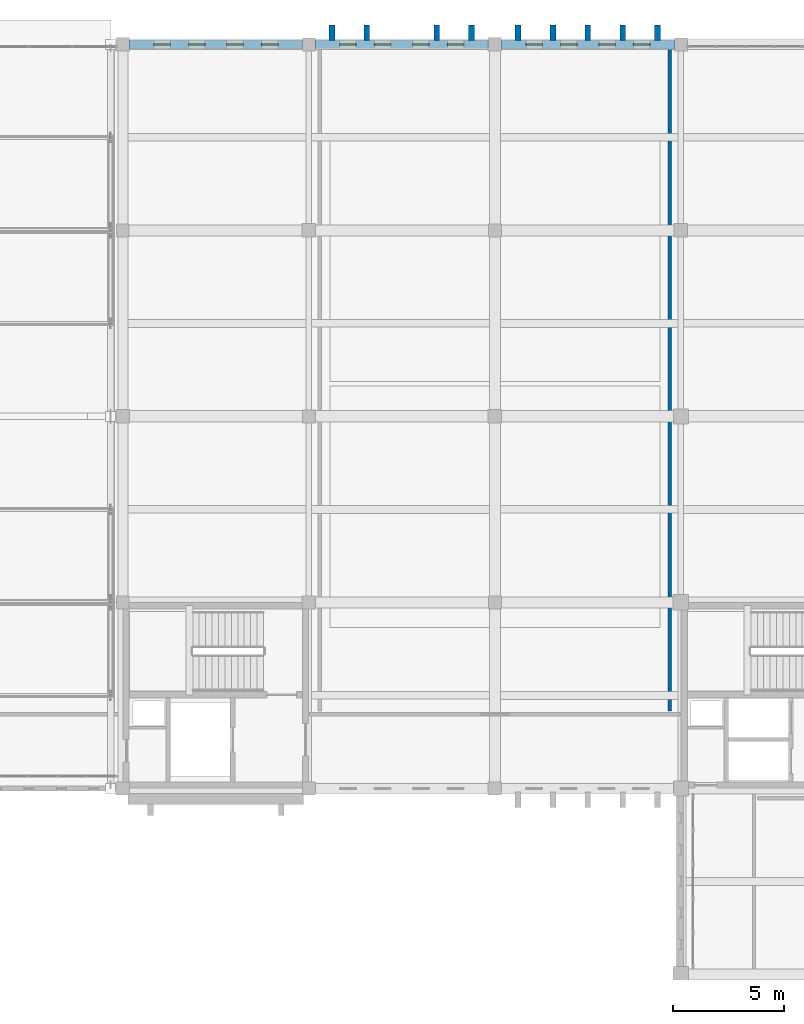
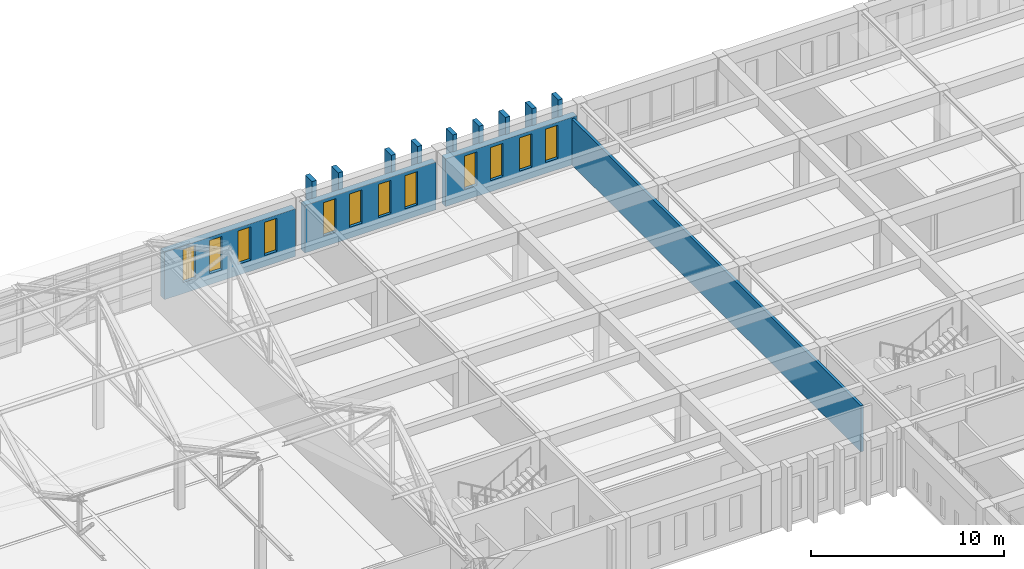
# One storey, part 95 of 110: 13 walls, 12 windows, 12 openings.
"""IFC4 building model written with IfcOpenShell, lengths in metres."""

from ifc_helpers import new_model, si_unit, direction, frame, frame_2d, origin, place, context, subcontext, project, spatial, rectangle, extrude, material, layer, layer_set, type_object, element, fill, save


model = new_model("IFC4")

# Units and contexts
model_context = context("Model", 3, precision=1e-05, world=origin(), true_north=direction((0.0, 1.0)))
body_context = subcontext(model_context, "Body", "Model", "MODEL_VIEW")
ifc_project = project(units=[si_unit("LENGTHUNIT", "METRE"), si_unit("AREAUNIT", "SQUARE_METRE"), si_unit("VOLUMEUNIT", "CUBIC_METRE"), si_unit("PLANEANGLEUNIT", "RADIAN"), si_unit("MASSUNIT", "GRAM", prefix="KILO")], contexts=[model_context])

# Site, building, storey
site_placement = place(None, origin())
site = spatial("IfcSite", under=ifc_project, at=site_placement, CompositionType="ELEMENT")
building_placement = place(site_placement, origin())
building = spatial("IfcBuilding", under=site, at=building_placement, Name="Kveldsbrygga Polytechnic", CompositionType="ELEMENT")
storey_placement = place(building_placement, frame((0.0, 0.0, 9.860107421875)))
storey = spatial("IfcBuildingStorey", under=building, at=storey_placement, Name="L02", CompositionType="ELEMENT", Elevation=9.860107421875)

# Wall, openings, windows
ifc_material_1 = material(Name="Fired clay brick masonry M10", Category="masonry")
ifc_layer_1 = layer(ifc_material_1, 0.3798828125)
ifc_layer_set_1 = layer_set([ifc_layer_1], Name="Fired clay brick masonry M10")
wall_type_1 = type_object("IfcWallType", Name="EW-BRICK-380", PredefinedType="SOLIDWALL", material=ifc_layer_set_1)
wall_1_placement = place(storey_placement, frame((109.47509765625, 117.60009765625, 0.0), z_axis=(0.0, 0.0, 1.0), x_axis=(1.0, 0.0, 0.0)))
wall_1 = element("IfcWall", 1, at=wall_1_placement, inside=storey, type_object=wall_type_1, Name="Exterior Brick Wall EW-L02-X-13-14", PredefinedType="SOLIDWALL", context=body_context, shape_type="SweptSolid", body=[
    extrude(rectangle(XDim=7.83984375, YDim=0.3798828125, at=frame_2d((3.919921875, 0.0))), origin(), (0.0, 0.0, 1.0), 3.010009765625),
])
opening_1_placement = place(wall_1_placement, frame((1.114501953125, 0.0, 0.699951171875)))
opening_1 = element("IfcOpeningElement", 2, at=opening_1_placement, cuts=wall_1, Name="Opening W-27", PredefinedType="OPENING", context=body_context, shape_type="SweptSolid", body=[
    extrude(rectangle(XDim=0.75, YDim=2.10009765625, at=frame_2d((0.375, 1.050048828125))), frame((0.0, 0.199951171875, 0.0), z_axis=(0.0, -1.0, 0.0), x_axis=(1.0, 0.0, 0.0)), (0.0, 0.0, 1.0), 0.39990234375),
])
opening_2_placement = place(wall_1_placement, frame((2.6826171875, 0.0, 0.699951171875)))
opening_2 = element("IfcOpeningElement", 3, at=opening_2_placement, cuts=wall_1, Name="Opening W-27", PredefinedType="OPENING", context=body_context, shape_type="SweptSolid", body=[
    extrude(rectangle(XDim=0.75, YDim=2.10009765625, at=frame_2d((0.375, 1.050048828125))), frame((0.0, 0.199951171875, 0.0), z_axis=(0.0, -1.0, 0.0), x_axis=(1.0, 0.0, 0.0)), (0.0, 0.0, 1.0), 0.39990234375),
])
opening_3_placement = place(wall_1_placement, frame((4.407470703125, 0.0, 0.699951171875)))
opening_3 = element("IfcOpeningElement", 4, at=opening_3_placement, cuts=wall_1, Name="Opening W-27", PredefinedType="OPENING", context=body_context, shape_type="SweptSolid", body=[
    extrude(rectangle(XDim=0.75, YDim=2.10009765625, at=frame_2d((0.375, 1.050048828125))), frame((0.0, 0.199951171875, 0.0), z_axis=(0.0, -1.0, 0.0), x_axis=(1.0, 0.0, 0.0)), (0.0, 0.0, 1.0), 0.39990234375),
])
opening_4_placement = place(wall_1_placement, frame((5.975341796875, 0.0, 0.699951171875)))
opening_4 = element("IfcOpeningElement", 5, at=opening_4_placement, cuts=wall_1, Name="Opening W-27", PredefinedType="OPENING", context=body_context, shape_type="SweptSolid", body=[
    extrude(rectangle(XDim=0.75, YDim=2.10009765625, at=frame_2d((0.375, 1.050048828125))), frame((0.0, 0.199951171875, 0.0), z_axis=(0.0, -1.0, 0.0), x_axis=(1.0, 0.0, 0.0)), (0.0, 0.0, 1.0), 0.39990234375),
])
ifc_material_2 = material(Name="Insulated triple low-E glass", Category="glass")
window_type = type_object("IfcWindowType", Name="WN-ATTIC-075x210", PartitioningType="DOUBLE_PANEL_VERTICAL", PredefinedType="WINDOW", material=ifc_material_2)
window_1_placement = place(opening_1_placement, origin())
window_1 = element("IfcWindow", 6, at=window_1_placement, inside=storey, type_object=window_type, Name="Gothic Lancet Window WIN-L02-X-13-14-1", OverallHeight=2.10009765625, OverallWidth=0.75, PartitioningType="DOUBLE_PANEL_VERTICAL", PredefinedType="WINDOW", context=body_context, shape_type="SweptSolid", body=[
    extrude(rectangle(XDim=0.75, YDim=2.10009765625, at=frame_2d((0.375, 1.050048828125))), frame((0.0, 0.030029296875, 0.0), z_axis=(0.0, -1.0, 0.0), x_axis=(1.0, 0.0, 0.0)), (0.0, 0.0, 1.0), 0.06005859375),
])
fill(opening_1, window_1)
window_2_placement = place(opening_2_placement, origin())
window_2 = element("IfcWindow", 7, at=window_2_placement, inside=storey, type_object=window_type, Name="Gothic Lancet Window WIN-L02-X-13-14-2", OverallHeight=2.10009765625, OverallWidth=0.75, PartitioningType="DOUBLE_PANEL_VERTICAL", PredefinedType="WINDOW", context=body_context, shape_type="SweptSolid", body=[
    extrude(rectangle(XDim=0.75, YDim=2.10009765625, at=frame_2d((0.375, 1.050048828125))), frame((0.0, 0.030029296875, 0.0), z_axis=(0.0, -1.0, 0.0), x_axis=(1.0, 0.0, 0.0)), (0.0, 0.0, 1.0), 0.06005859375),
])
fill(opening_2, window_2)
window_3_placement = place(opening_3_placement, origin())
window_3 = element("IfcWindow", 8, at=window_3_placement, inside=storey, type_object=window_type, Name="Gothic Lancet Window WIN-L02-X-13-14-3", OverallHeight=2.10009765625, OverallWidth=0.75, PartitioningType="DOUBLE_PANEL_VERTICAL", PredefinedType="WINDOW", context=body_context, shape_type="SweptSolid", body=[
    extrude(rectangle(XDim=0.75, YDim=2.10009765625, at=frame_2d((0.375, 1.050048828125))), frame((0.0, 0.030029296875, 0.0), z_axis=(0.0, -1.0, 0.0), x_axis=(1.0, 0.0, 0.0)), (0.0, 0.0, 1.0), 0.06005859375),
])
fill(opening_3, window_3)
window_4_placement = place(opening_4_placement, origin())
window_4 = element("IfcWindow", 9, at=window_4_placement, inside=storey, type_object=window_type, Name="Gothic Lancet Window WIN-L02-X-13-14-4", OverallHeight=2.10009765625, OverallWidth=0.75, PartitioningType="DOUBLE_PANEL_VERTICAL", PredefinedType="WINDOW", context=body_context, shape_type="SweptSolid", body=[
    extrude(rectangle(XDim=0.75, YDim=2.10009765625, at=frame_2d((0.375, 1.050048828125))), frame((0.0, 0.030029296875, 0.0), z_axis=(0.0, -1.0, 0.0), x_axis=(1.0, 0.0, 0.0)), (0.0, 0.0, 1.0), 0.06005859375),
])
fill(opening_4, window_4)

ifc_layer_2 = layer(ifc_material_1, 0.39990234375)
ifc_layer_set_2 = layer_set([ifc_layer_2], Name="Fired clay brick masonry M10")
wall_type_2 = type_object("IfcWallType", Name="EW-BRICK-400", PredefinedType="SOLIDWALL", material=ifc_layer_set_2)
wall_2_placement = place(storey_placement, frame((101.0849609375, 117.60009765625, 0.0), z_axis=(0.0, 0.0, 1.0), x_axis=(1.0, 0.0, 0.0)))
wall_2 = element("IfcWall", 10, at=wall_2_placement, inside=storey, type_object=wall_type_2, Name="Exterior Brick Wall EW-L02-X-12-14", PredefinedType="SOLIDWALL", context=body_context, shape_type="SweptSolid", body=[
    extrude(rectangle(XDim=7.840087890625, YDim=0.39990234375, at=frame_2d((3.919921875, 0.0))), origin(), (0.0, 0.0, 1.0), 3.010009765625),
])
opening_5_placement = place(wall_2_placement, frame((1.114501953125, 0.0, 0.699951171875)))
opening_5 = element("IfcOpeningElement", 11, at=opening_5_placement, cuts=wall_2, Name="Opening W-27", PredefinedType="OPENING", context=body_context, shape_type="SweptSolid", body=[
    extrude(rectangle(XDim=0.75, YDim=2.10009765625, at=frame_2d((0.375, 1.050048828125))), frame((0.0, 0.2099609375, 0.0), z_axis=(0.0, -1.0, 0.0), x_axis=(1.0, 0.0, 0.0)), (0.0, 0.0, 1.0), 0.419921875),
])
opening_6_placement = place(wall_2_placement, frame((2.6826171875, 0.0, 0.699951171875)))
opening_6 = element("IfcOpeningElement", 12, at=opening_6_placement, cuts=wall_2, Name="Opening W-27", PredefinedType="OPENING", context=body_context, shape_type="SweptSolid", body=[
    extrude(rectangle(XDim=0.75, YDim=2.10009765625, at=frame_2d((0.375, 1.050048828125))), frame((0.0, 0.2099609375, 0.0), z_axis=(0.0, -1.0, 0.0), x_axis=(1.0, 0.0, 0.0)), (0.0, 0.0, 1.0), 0.419921875),
])
opening_7_placement = place(wall_2_placement, frame((4.407470703125, 0.0, 0.699951171875)))
opening_7 = element("IfcOpeningElement", 13, at=opening_7_placement, cuts=wall_2, Name="Opening W-27", PredefinedType="OPENING", context=body_context, shape_type="SweptSolid", body=[
    extrude(rectangle(XDim=0.75, YDim=2.10009765625, at=frame_2d((0.375, 1.050048828125))), frame((0.0, 0.2099609375, 0.0), z_axis=(0.0, -1.0, 0.0), x_axis=(1.0, 0.0, 0.0)), (0.0, 0.0, 1.0), 0.419921875),
])
opening_8_placement = place(wall_2_placement, frame((5.975341796875, 0.0, 0.699951171875)))
opening_8 = element("IfcOpeningElement", 14, at=opening_8_placement, cuts=wall_2, Name="Opening W-27", PredefinedType="OPENING", context=body_context, shape_type="SweptSolid", body=[
    extrude(rectangle(XDim=0.75, YDim=2.10009765625, at=frame_2d((0.375, 1.050048828125))), frame((0.0, 0.2099609375, 0.0), z_axis=(0.0, -1.0, 0.0), x_axis=(1.0, 0.0, 0.0)), (0.0, 0.0, 1.0), 0.419921875),
])
window_5_placement = place(opening_5_placement, origin())
window_5 = element("IfcWindow", 15, at=window_5_placement, inside=storey, type_object=window_type, Name="Gothic Lancet Window WIN-L02-X-12-14-1", OverallHeight=2.10009765625, OverallWidth=0.75, PartitioningType="DOUBLE_PANEL_VERTICAL", PredefinedType="WINDOW", context=body_context, shape_type="SweptSolid", body=[
    extrude(rectangle(XDim=0.75, YDim=2.10009765625, at=frame_2d((0.375, 1.050048828125))), frame((0.0, 0.030029296875, 0.0), z_axis=(0.0, -1.0, 0.0), x_axis=(1.0, 0.0, 0.0)), (0.0, 0.0, 1.0), 0.06005859375),
])
fill(opening_5, window_5)
window_6_placement = place(opening_6_placement, origin())
window_6 = element("IfcWindow", 16, at=window_6_placement, inside=storey, type_object=window_type, Name="Gothic Lancet Window WIN-L02-X-12-14-2", OverallHeight=2.10009765625, OverallWidth=0.75, PartitioningType="DOUBLE_PANEL_VERTICAL", PredefinedType="WINDOW", context=body_context, shape_type="SweptSolid", body=[
    extrude(rectangle(XDim=0.75, YDim=2.10009765625, at=frame_2d((0.375, 1.050048828125))), frame((0.0, 0.030029296875, 0.0), z_axis=(0.0, -1.0, 0.0), x_axis=(1.0, 0.0, 0.0)), (0.0, 0.0, 1.0), 0.06005859375),
])
fill(opening_6, window_6)
window_7_placement = place(opening_7_placement, origin())
window_7 = element("IfcWindow", 17, at=window_7_placement, inside=storey, type_object=window_type, Name="Gothic Lancet Window WIN-L02-X-12-14-3", OverallHeight=2.10009765625, OverallWidth=0.75, PartitioningType="DOUBLE_PANEL_VERTICAL", PredefinedType="WINDOW", context=body_context, shape_type="SweptSolid", body=[
    extrude(rectangle(XDim=0.75, YDim=2.10009765625, at=frame_2d((0.375, 1.050048828125))), frame((0.0, 0.030029296875, 0.0), z_axis=(0.0, -1.0, 0.0), x_axis=(1.0, 0.0, 0.0)), (0.0, 0.0, 1.0), 0.06005859375),
])
fill(opening_7, window_7)
window_8_placement = place(opening_8_placement, origin())
window_8 = element("IfcWindow", 18, at=window_8_placement, inside=storey, type_object=window_type, Name="Gothic Lancet Window WIN-L02-X-12-14-4", OverallHeight=2.10009765625, OverallWidth=0.75, PartitioningType="DOUBLE_PANEL_VERTICAL", PredefinedType="WINDOW", context=body_context, shape_type="SweptSolid", body=[
    extrude(rectangle(XDim=0.75, YDim=2.10009765625, at=frame_2d((0.375, 1.050048828125))), frame((0.0, 0.030029296875, 0.0), z_axis=(0.0, -1.0, 0.0), x_axis=(1.0, 0.0, 0.0)), (0.0, 0.0, 1.0), 0.06005859375),
])
fill(opening_8, window_8)

wall_3_placement = place(storey_placement, frame((117.885009765625, 117.60009765625, 0.0), z_axis=(0.0, 0.0, 1.0), x_axis=(1.0, 0.0, 0.0)))
wall_3 = element("IfcWall", 19, at=wall_3_placement, inside=storey, type_object=wall_type_2, Name="Exterior Brick Wall EW-L02-X-14-14", PredefinedType="SOLIDWALL", context=body_context, shape_type="SweptSolid", body=[
    extrude(rectangle(XDim=7.840087890625, YDim=0.39990234375, at=frame_2d((3.919921875, 0.0))), origin(), (0.0, 0.0, 1.0), 3.010009765625),
])
opening_9_placement = place(wall_3_placement, frame((1.114501953125, 0.0, 0.699951171875)))
opening_9 = element("IfcOpeningElement", 20, at=opening_9_placement, cuts=wall_3, Name="Opening W-27", PredefinedType="OPENING", context=body_context, shape_type="SweptSolid", body=[
    extrude(rectangle(XDim=0.75, YDim=2.10009765625, at=frame_2d((0.375, 1.050048828125))), frame((0.0, 0.2099609375, 0.0), z_axis=(0.0, -1.0, 0.0), x_axis=(1.0, 0.0, 0.0)), (0.0, 0.0, 1.0), 0.419921875),
])
opening_10_placement = place(wall_3_placement, frame((2.6826171875, 0.0, 0.699951171875)))
opening_10 = element("IfcOpeningElement", 21, at=opening_10_placement, cuts=wall_3, Name="Opening W-27", PredefinedType="OPENING", context=body_context, shape_type="SweptSolid", body=[
    extrude(rectangle(XDim=0.75, YDim=2.10009765625, at=frame_2d((0.375, 1.050048828125))), frame((0.0, 0.2099609375, 0.0), z_axis=(0.0, -1.0, 0.0), x_axis=(1.0, 0.0, 0.0)), (0.0, 0.0, 1.0), 0.419921875),
])
opening_11_placement = place(wall_3_placement, frame((4.407470703125, 0.0, 0.699951171875)))
opening_11 = element("IfcOpeningElement", 22, at=opening_11_placement, cuts=wall_3, Name="Opening W-27", PredefinedType="OPENING", context=body_context, shape_type="SweptSolid", body=[
    extrude(rectangle(XDim=0.75, YDim=2.10009765625, at=frame_2d((0.375, 1.050048828125))), frame((0.0, 0.2099609375, 0.0), z_axis=(0.0, -1.0, 0.0), x_axis=(1.0, 0.0, 0.0)), (0.0, 0.0, 1.0), 0.419921875),
])
opening_12_placement = place(wall_3_placement, frame((5.975341796875, 0.0, 0.699951171875)))
opening_12 = element("IfcOpeningElement", 23, at=opening_12_placement, cuts=wall_3, Name="Opening W-27", PredefinedType="OPENING", context=body_context, shape_type="SweptSolid", body=[
    extrude(rectangle(XDim=0.75, YDim=2.10009765625, at=frame_2d((0.375, 1.050048828125))), frame((0.0, 0.2099609375, 0.0), z_axis=(0.0, -1.0, 0.0), x_axis=(1.0, 0.0, 0.0)), (0.0, 0.0, 1.0), 0.419921875),
])
window_9_placement = place(opening_9_placement, origin())
window_9 = element("IfcWindow", 24, at=window_9_placement, inside=storey, type_object=window_type, Name="Gothic Lancet Window WIN-L02-X-14-14-1", OverallHeight=2.10009765625, OverallWidth=0.75, PartitioningType="DOUBLE_PANEL_VERTICAL", PredefinedType="WINDOW", context=body_context, shape_type="SweptSolid", body=[
    extrude(rectangle(XDim=0.75, YDim=2.10009765625, at=frame_2d((0.375, 1.050048828125))), frame((0.0, 0.030029296875, 0.0), z_axis=(0.0, -1.0, 0.0), x_axis=(1.0, 0.0, 0.0)), (0.0, 0.0, 1.0), 0.06005859375),
])
fill(opening_9, window_9)
window_10_placement = place(opening_10_placement, origin())
window_10 = element("IfcWindow", 25, at=window_10_placement, inside=storey, type_object=window_type, Name="Gothic Lancet Window WIN-L02-X-14-14-2", OverallHeight=2.10009765625, OverallWidth=0.75, PartitioningType="DOUBLE_PANEL_VERTICAL", PredefinedType="WINDOW", context=body_context, shape_type="SweptSolid", body=[
    extrude(rectangle(XDim=0.75, YDim=2.10009765625, at=frame_2d((0.375, 1.050048828125))), frame((0.0, 0.030029296875, 0.0), z_axis=(0.0, -1.0, 0.0), x_axis=(1.0, 0.0, 0.0)), (0.0, 0.0, 1.0), 0.06005859375),
])
fill(opening_10, window_10)
window_11_placement = place(opening_11_placement, origin())
window_11 = element("IfcWindow", 26, at=window_11_placement, inside=storey, type_object=window_type, Name="Gothic Lancet Window WIN-L02-X-14-14-3", OverallHeight=2.10009765625, OverallWidth=0.75, PartitioningType="DOUBLE_PANEL_VERTICAL", PredefinedType="WINDOW", context=body_context, shape_type="SweptSolid", body=[
    extrude(rectangle(XDim=0.75, YDim=2.10009765625, at=frame_2d((0.375, 1.050048828125))), frame((0.0, 0.030029296875, 0.0), z_axis=(0.0, -1.0, 0.0), x_axis=(1.0, 0.0, 0.0)), (0.0, 0.0, 1.0), 0.06005859375),
])
fill(opening_11, window_11)
window_12_placement = place(opening_12_placement, origin())
window_12 = element("IfcWindow", 27, at=window_12_placement, inside=storey, type_object=window_type, Name="Gothic Lancet Window WIN-L02-X-14-14-4", OverallHeight=2.10009765625, OverallWidth=0.75, PartitioningType="DOUBLE_PANEL_VERTICAL", PredefinedType="WINDOW", context=body_context, shape_type="SweptSolid", body=[
    extrude(rectangle(XDim=0.75, YDim=2.10009765625, at=frame_2d((0.375, 1.050048828125))), frame((0.0, 0.030029296875, 0.0), z_axis=(0.0, -1.0, 0.0), x_axis=(1.0, 0.0, 0.0)), (0.0, 0.0, 1.0), 0.06005859375),
])
fill(opening_12, window_12)

# Walls
ifc_layer_3 = layer(ifc_material_1, 0.260009765625)
ifc_layer_set_3 = layer_set([ifc_layer_3], Name="Fired clay brick masonry M10")
wall_type_3 = type_object("IfcWallType", Name="EW-BUTT-260", PredefinedType="SOLIDWALL", material=ifc_layer_set_3)
for number, where, z_axis, x_axis, name in (
    (28, (110.25, 117.764892578125, 0.0), (0.0, 0.0, 1.0), (0.0, 1.0, 0.0), "Gothic Brick Buttress Pier BUTT-L02-X-13-14-1"),
    (29, (111.820068359375, 117.764892578125, 0.0), (0.0, 0.0, 1.0), (0.0, 1.0, 0.0), "Gothic Brick Buttress Pier BUTT-L02-X-13-14-2"),
    (30, (114.97998046875, 117.764892578125, 0.0), (0.0, 0.0, 1.0), (0.0, 1.0, 0.0), "Gothic Brick Buttress Pier BUTT-L02-X-13-14-4"),
    (31, (116.550048828125, 117.764892578125, 0.0), (0.0, 0.0, 1.0), (0.0, 1.0, 0.0), "Gothic Brick Buttress Pier BUTT-L02-X-13-14-5"),
    (32, (118.64990234375, 117.764892578125, 0.0), (0.0, 0.0, 1.0), (0.0, 1.0, 0.0), "Gothic Brick Buttress Pier BUTT-L02-X-14-14-1"),
    (33, (120.219970703125, 117.764892578125, 0.0), (0.0, 0.0, 1.0), (0.0, 1.0, 0.0), "Gothic Brick Buttress Pier BUTT-L02-X-14-14-2"),
    (34, (121.800048828125, 117.764892578125, 0.0), (0.0, 0.0, 1.0), (0.0, 1.0, 0.0), "Gothic Brick Buttress Pier BUTT-L02-X-14-14-3"),
    (35, (123.3798828125, 117.764892578125, 0.0), (0.0, 0.0, 1.0), (0.0, 1.0, 0.0), "Gothic Brick Buttress Pier BUTT-L02-X-14-14-4"),
    (36, (124.949951171875, 117.764892578125, 0.0), (0.0, 0.0, 1.0), (0.0, 1.0, 0.0), "Gothic Brick Buttress Pier BUTT-L02-X-14-14-5"),
):
    element("IfcWall", number, at=place(storey_placement, frame(where, z_axis=z_axis, x_axis=x_axis)), inside=storey, type_object=wall_type_3, Name=name, PredefinedType="SOLIDWALL", context=body_context, shape_type="SweptSolid", body=[
        extrude(rectangle(XDim=0.7001953125, YDim=0.260009765625, at=frame_2d((0.35009765625, 0.0))), origin(), (0.0, 0.0, 1.0), 4.079833984375),
    ])
ifc_material_3 = material(Name="Gypsum acoustic stud partition")
ifc_layer_4 = layer(ifc_material_3, 0.159912109375)
ifc_layer_set_4 = layer_set([ifc_layer_4], Name="Gypsum acoustic stud partition")
wall_type_4 = type_object("IfcWallType", Name="IW-STD-160", PredefinedType="PARTITIONING", material=ifc_layer_set_4)
wall_4_placement = place(storey_placement, frame((125.5, 87.5, 0.0), z_axis=(0.0, 0.0, 1.0), x_axis=(0.0, 1.0, 0.0)))
element("IfcWall", 37, at=wall_4_placement, inside=storey, type_object=wall_type_4, Name="Partition Wall IW-SP-L02-STD23-E1", PredefinedType="PARTITIONING", context=body_context, shape_type="SweptSolid", body=[
    extrude(rectangle(XDim=29.919921875, YDim=0.159912109375, at=frame_2d((14.9599609375, 0.0))), origin(), (0.0, 0.0, 1.0), 2.909912109375),
])

save(model, "model.ifc")
